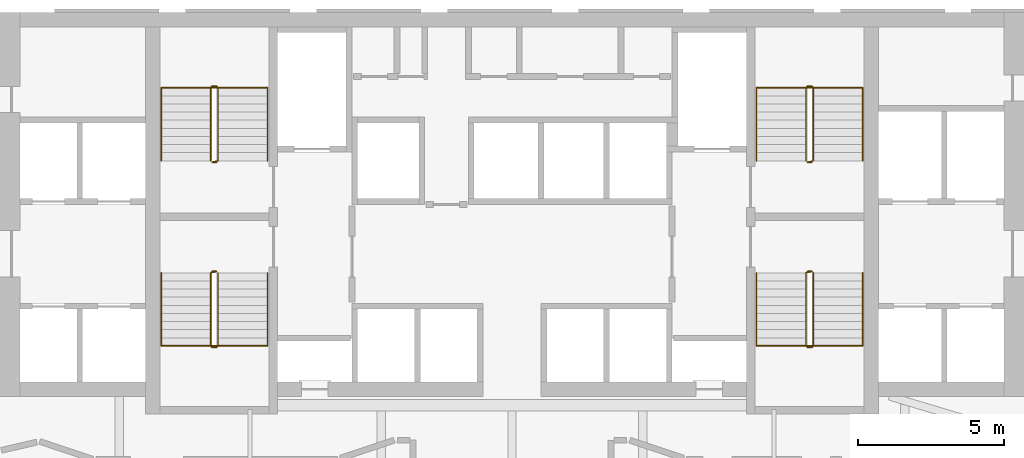
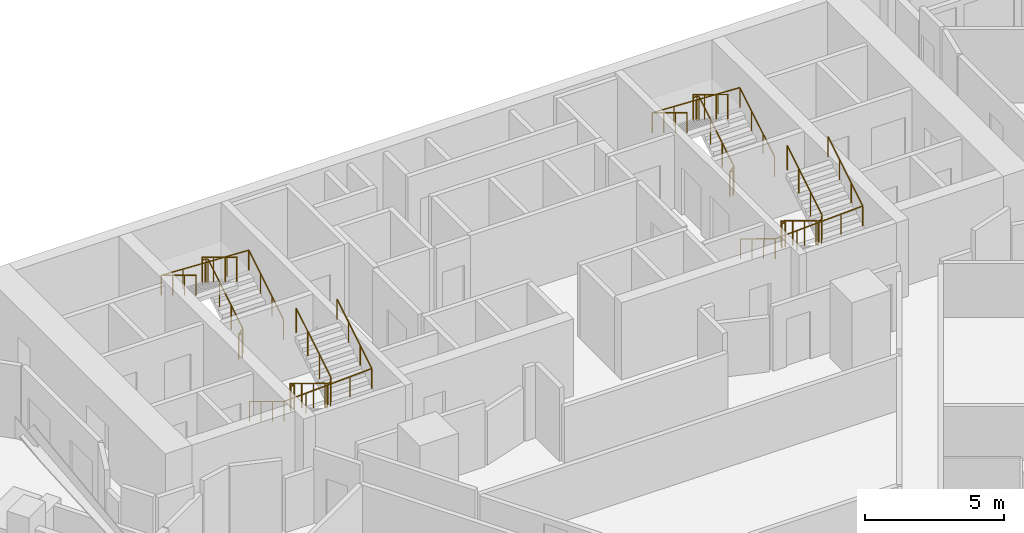
# One storey, part 11 of 11: 8 railings.
"""IFC4 building model written with IfcOpenShell, lengths in metres."""

from ifc_helpers import new_model, si_unit, direction, frame, origin, origin_2d, place, context, subcontext, project, spatial, circle, extrude, material, type_object, element, save


model = new_model("IFC4")

# Units and contexts
model_context = context("Model", 3, precision=1e-05, world=origin(), true_north=direction((0.0, 1.0)))
body_context = subcontext(model_context, "Body", "Model", "MODEL_VIEW")
ifc_project = project(units=[si_unit("LENGTHUNIT", "METRE"), si_unit("AREAUNIT", "SQUARE_METRE"), si_unit("VOLUMEUNIT", "CUBIC_METRE"), si_unit("PLANEANGLEUNIT", "RADIAN"), si_unit("MASSUNIT", "GRAM", prefix="KILO")], contexts=[model_context])

# Site, building, storey
site_placement = place(None, origin())
site = spatial("IfcSite", under=ifc_project, at=site_placement, CompositionType="ELEMENT")
building_placement = place(site_placement, origin())
building = spatial("IfcBuilding", under=site, at=building_placement, Name="Calabash Gate Tower", CompositionType="ELEMENT")
storey_placement = place(building_placement, frame((0.0, 0.0, 73.199951171875)))
storey = spatial("IfcBuildingStorey", under=building, at=storey_placement, Name="L14", CompositionType="ELEMENT", Elevation=73.199951171875)

# Railings
ifc_material_1 = material(Name="Black powder-coated steel balusters", Category="steel")
railing_type_1 = type_object("IfcRailingType", Name="Stair guard RL1100", PredefinedType="GUARDRAIL", material=ifc_material_1)
railing_1_placement = place(storey_placement, frame((-10.14990234375, 13.902587890625, 0.0)))
element("IfcRailing", 1, at=railing_1_placement, inside=storey, type_object=railing_type_1, Name="L14 ST1 stair guard 1", PredefinedType="GUARDRAIL", context=body_context, shape_type="SweptSolid", body=[
    extrude(circle(Radius=0.02392578125, at=origin_2d()), frame((0.0, 0.0, 1.076171875), z_axis=(-1.0, 0.0, 0.0), x_axis=(0.0, -1.0, 0.0)), (0.0, 0.0, 1.0), 0.150146484375),
    extrude(circle(Radius=0.02392578125, at=origin_2d()), frame((-0.150146484375, 0.0, 1.076171875), z_axis=(0.748079357382, 0.187248190798, 0.636643848712), x_axis=(-0.242814311512, 0.970072785993, 0.0)), (0.0, 0.0, 1.0), 0.267333984375),
    extrude(circle(Radius=0.02392578125, at=origin_2d()), frame((0.0498046875, 0.050048828125, 1.24609375), z_axis=(0.0, 0.853993254676, 0.52028407718), x_axis=(-1.0, 0.0, 0.0)), (0.0, 0.0, 1.0), 2.940185546875),
    extrude(circle(Radius=0.02392578125, at=origin_2d()), frame((0.0498046875, 2.56103515625, 2.77587890625), z_axis=(-0.705375805398, 0.708833529934, 0.0), x_axis=(-0.708833529934, -0.705375805398, 0.0)), (0.0, 0.0, 1.0), 0.070556640625),
    extrude(circle(Radius=0.02392578125, at=origin_2d()), frame((0.0, 2.611083984375, 2.77587890625), z_axis=(-1.0, 0.0, 0.0), x_axis=(0.0, -1.0, 0.0)), (0.0, 0.0, 1.0), 0.150146484375),
    extrude(circle(Radius=0.02392578125, at=origin_2d()), frame((-0.150146484375, 2.611083984375, 2.77587890625), z_axis=(-0.271562723297, -0.271562723297, 0.923313259209), x_axis=(0.707106781187, -0.707106781187, 0.0)), (0.0, 0.0, 1.0), 0.184326171875),
    extrude(circle(Radius=0.02392578125, at=origin_2d()), frame((-0.2001953125, 2.56103515625, 2.9462890625), z_axis=(0.0, -0.853956361026, 0.520344629514), x_axis=(1.0, 0.0, 0.0)), (0.0, 0.0, 1.0), 2.9404296875),
    extrude(circle(Radius=0.02099609375, at=origin_2d()), origin(), (0.0, 0.0, 1.0), 1.052001953125),
    extrude(circle(Radius=0.02099609375, at=origin_2d()), frame((-0.150146484375, 0.0, 0.0)), (0.0, 0.0, 1.0), 1.052001953125),
    extrude(circle(Radius=0.02099609375, at=origin_2d()), frame((0.0498046875, 0.050048828125, 0.170166015625)), (0.0, 0.0, 1.0), 1.052001953125),
    extrude(circle(Radius=0.02099609375, at=origin_2d()), frame((0.0498046875, 0.886962890625, 0.68017578125)), (0.0, 0.0, 1.0), 1.052001953125),
    extrude(circle(Radius=0.02099609375, at=origin_2d()), frame((0.0498046875, 1.72412109375, 1.18994140625)), (0.0, 0.0, 1.0), 1.052001953125),
    extrude(circle(Radius=0.02099609375, at=origin_2d()), frame((0.0498046875, 2.56103515625, 1.699951171875)), (0.0, 0.0, 1.0), 1.052001953125),
    extrude(circle(Radius=0.02099609375, at=origin_2d()), frame((0.0, 2.611083984375, 1.699951171875)), (0.0, 0.0, 1.0), 1.052001953125),
    extrude(circle(Radius=0.02099609375, at=origin_2d()), frame((-0.150146484375, 2.611083984375, 1.699951171875)), (0.0, 0.0, 1.0), 1.052001953125),
    extrude(circle(Radius=0.02099609375, at=origin_2d()), frame((-0.2001953125, 2.56103515625, 1.8701171875)), (0.0, 0.0, 1.0), 1.052001953125),
    extrude(circle(Radius=0.02099609375, at=origin_2d()), frame((-0.2001953125, 1.72412109375, 2.380126953125)), (0.0, 0.0, 1.0), 1.052001953125),
    extrude(circle(Radius=0.02099609375, at=origin_2d()), frame((-0.2001953125, 0.886962890625, 2.89013671875)), (0.0, 0.0, 1.0), 1.052001953125),
    extrude(circle(Radius=0.02099609375, at=origin_2d()), frame((-0.2001953125, 0.050048828125, 3.400146484375)), (0.0, 0.0, 1.0), 1.052001953125),
])
railing_2_placement = place(storey_placement, frame((-10.300048828125, 10.152587890625, 0.0)))
element("IfcRailing", 2, at=railing_2_placement, inside=storey, type_object=railing_type_1, Name="L14 ST2 stair guard 1", PredefinedType="GUARDRAIL", context=body_context, shape_type="SweptSolid", body=[
    extrude(circle(Radius=0.02392578125, at=origin_2d()), frame((0.0, 0.0, 1.076171875), z_axis=(1.0, 0.0, 0.0), x_axis=(0.0, 1.0, 0.0)), (0.0, 0.0, 1.0), 0.150146484375),
    extrude(circle(Radius=0.02392578125, at=origin_2d()), frame((0.150146484375, 0.0, 1.076171875), z_axis=(-0.748481188565, -0.187120297141, 0.63620901028), x_axis=(0.242535625036, -0.970142500145, 0.0)), (0.0, 0.0, 1.0), 0.267578125),
    extrude(circle(Radius=0.02392578125, at=origin_2d()), frame((-0.050048828125, -0.050048828125, 1.24609375), z_axis=(0.0, -0.853993254676, 0.52028407718), x_axis=(1.0, 0.0, 0.0)), (0.0, 0.0, 1.0), 2.940185546875),
    extrude(circle(Radius=0.02392578125, at=origin_2d()), frame((-0.050048828125, -2.56103515625, 2.77587890625), z_axis=(0.707106781187, -0.707106781187, 0.0), x_axis=(0.707106781187, 0.707106781187, 0.0)), (0.0, 0.0, 1.0), 0.07080078125),
    extrude(circle(Radius=0.02392578125, at=origin_2d()), frame((0.0, -2.611083984375, 2.77587890625), z_axis=(1.0, 0.0, 0.0), x_axis=(0.0, 1.0, 0.0)), (0.0, 0.0, 1.0), 0.150146484375),
    extrude(circle(Radius=0.02392578125, at=origin_2d()), frame((0.150146484375, -2.611083984375, 2.77587890625), z_axis=(0.270335057127, 0.271660228976, 0.923644778517), x_axis=(-0.708833529934, 0.705375805398, 0.0)), (0.0, 0.0, 1.0), 0.184326171875),
    extrude(circle(Radius=0.02392578125, at=origin_2d()), frame((0.199951171875, -2.56103515625, 2.9462890625), z_axis=(0.0, 0.853956361026, 0.520344629514), x_axis=(-1.0, 0.0, 0.0)), (0.0, 0.0, 1.0), 2.9404296875),
    extrude(circle(Radius=0.02099609375, at=origin_2d()), origin(), (0.0, 0.0, 1.0), 1.052001953125),
    extrude(circle(Radius=0.02099609375, at=origin_2d()), frame((0.150146484375, 0.0, 0.0)), (0.0, 0.0, 1.0), 1.052001953125),
    extrude(circle(Radius=0.02099609375, at=origin_2d()), frame((-0.050048828125, -0.050048828125, 0.170166015625)), (0.0, 0.0, 1.0), 1.052001953125),
    extrude(circle(Radius=0.02099609375, at=origin_2d()), frame((-0.050048828125, -0.886962890625, 0.68017578125)), (0.0, 0.0, 1.0), 1.052001953125),
    extrude(circle(Radius=0.02099609375, at=origin_2d()), frame((-0.050048828125, -1.72412109375, 1.18994140625)), (0.0, 0.0, 1.0), 1.052001953125),
    extrude(circle(Radius=0.02099609375, at=origin_2d()), frame((-0.050048828125, -2.56103515625, 1.699951171875)), (0.0, 0.0, 1.0), 1.052001953125),
    extrude(circle(Radius=0.02099609375, at=origin_2d()), frame((0.0, -2.611083984375, 1.699951171875)), (0.0, 0.0, 1.0), 1.052001953125),
    extrude(circle(Radius=0.02099609375, at=origin_2d()), frame((0.150146484375, -2.611083984375, 1.699951171875)), (0.0, 0.0, 1.0), 1.052001953125),
    extrude(circle(Radius=0.02099609375, at=origin_2d()), frame((0.199951171875, -2.56103515625, 1.8701171875)), (0.0, 0.0, 1.0), 1.052001953125),
    extrude(circle(Radius=0.02099609375, at=origin_2d()), frame((0.199951171875, -1.72412109375, 2.380126953125)), (0.0, 0.0, 1.0), 1.052001953125),
    extrude(circle(Radius=0.02099609375, at=origin_2d()), frame((0.199951171875, -0.886962890625, 2.89013671875)), (0.0, 0.0, 1.0), 1.052001953125),
    extrude(circle(Radius=0.02099609375, at=origin_2d()), frame((0.199951171875, -0.050048828125, 3.400146484375)), (0.0, 0.0, 1.0), 1.052001953125),
])
railing_3_placement = place(storey_placement, frame((10.300048828125, 13.902587890625, 0.0)))
element("IfcRailing", 3, at=railing_3_placement, inside=storey, type_object=railing_type_1, Name="L14 ST3 stair guard 1", PredefinedType="GUARDRAIL", context=body_context, shape_type="SweptSolid", body=[
    extrude(circle(Radius=0.02392578125, at=origin_2d()), frame((0.0, 0.0, 1.076171875), z_axis=(-1.0, 0.0, 0.0), x_axis=(0.0, -1.0, 0.0)), (0.0, 0.0, 1.0), 0.150146484375),
    extrude(circle(Radius=0.02392578125, at=origin_2d()), frame((-0.150146484375, 0.0, 1.076171875), z_axis=(0.748481188565, 0.187120297141, 0.63620901028), x_axis=(-0.242535625036, 0.970142500145, 0.0)), (0.0, 0.0, 1.0), 0.267578125),
    extrude(circle(Radius=0.02392578125, at=origin_2d()), frame((0.050048828125, 0.050048828125, 1.24609375), z_axis=(0.0, 0.853993254676, 0.52028407718), x_axis=(-1.0, 0.0, 0.0)), (0.0, 0.0, 1.0), 2.940185546875),
    extrude(circle(Radius=0.02392578125, at=origin_2d()), frame((0.050048828125, 2.56103515625, 2.77587890625), z_axis=(-0.707106781187, 0.707106781187, 0.0), x_axis=(-0.707106781187, -0.707106781187, 0.0)), (0.0, 0.0, 1.0), 0.07080078125),
    extrude(circle(Radius=0.02392578125, at=origin_2d()), frame((0.0, 2.611083984375, 2.77587890625), z_axis=(-1.0, 0.0, 0.0), x_axis=(0.0, -1.0, 0.0)), (0.0, 0.0, 1.0), 0.150146484375),
    extrude(circle(Radius=0.02392578125, at=origin_2d()), frame((-0.150146484375, 2.611083984375, 2.77587890625), z_axis=(-0.270335057127, -0.271660228976, 0.923644778517), x_axis=(0.708833529934, -0.705375805398, 0.0)), (0.0, 0.0, 1.0), 0.184326171875),
    extrude(circle(Radius=0.02392578125, at=origin_2d()), frame((-0.199951171875, 2.56103515625, 2.9462890625), z_axis=(0.0, -0.853956361026, 0.520344629514), x_axis=(1.0, 0.0, 0.0)), (0.0, 0.0, 1.0), 2.9404296875),
    extrude(circle(Radius=0.02099609375, at=origin_2d()), origin(), (0.0, 0.0, 1.0), 1.052001953125),
    extrude(circle(Radius=0.02099609375, at=origin_2d()), frame((-0.150146484375, 0.0, 0.0)), (0.0, 0.0, 1.0), 1.052001953125),
    extrude(circle(Radius=0.02099609375, at=origin_2d()), frame((0.050048828125, 0.050048828125, 0.170166015625)), (0.0, 0.0, 1.0), 1.052001953125),
    extrude(circle(Radius=0.02099609375, at=origin_2d()), frame((0.050048828125, 0.886962890625, 0.68017578125)), (0.0, 0.0, 1.0), 1.052001953125),
    extrude(circle(Radius=0.02099609375, at=origin_2d()), frame((0.050048828125, 1.72412109375, 1.18994140625)), (0.0, 0.0, 1.0), 1.052001953125),
    extrude(circle(Radius=0.02099609375, at=origin_2d()), frame((0.050048828125, 2.56103515625, 1.699951171875)), (0.0, 0.0, 1.0), 1.052001953125),
    extrude(circle(Radius=0.02099609375, at=origin_2d()), frame((0.0, 2.611083984375, 1.699951171875)), (0.0, 0.0, 1.0), 1.052001953125),
    extrude(circle(Radius=0.02099609375, at=origin_2d()), frame((-0.150146484375, 2.611083984375, 1.699951171875)), (0.0, 0.0, 1.0), 1.052001953125),
    extrude(circle(Radius=0.02099609375, at=origin_2d()), frame((-0.199951171875, 2.56103515625, 1.8701171875)), (0.0, 0.0, 1.0), 1.052001953125),
    extrude(circle(Radius=0.02099609375, at=origin_2d()), frame((-0.199951171875, 1.72412109375, 2.380126953125)), (0.0, 0.0, 1.0), 1.052001953125),
    extrude(circle(Radius=0.02099609375, at=origin_2d()), frame((-0.199951171875, 0.886962890625, 2.89013671875)), (0.0, 0.0, 1.0), 1.052001953125),
    extrude(circle(Radius=0.02099609375, at=origin_2d()), frame((-0.199951171875, 0.050048828125, 3.400146484375)), (0.0, 0.0, 1.0), 1.052001953125),
])
railing_4_placement = place(storey_placement, frame((10.14990234375, 10.152587890625, 0.0)))
element("IfcRailing", 4, at=railing_4_placement, inside=storey, type_object=railing_type_1, Name="L14 ST4 stair guard 1", PredefinedType="GUARDRAIL", context=body_context, shape_type="SweptSolid", body=[
    extrude(circle(Radius=0.02392578125, at=origin_2d()), frame((0.0, 0.0, 1.076171875), z_axis=(1.0, 0.0, 0.0), x_axis=(0.0, 1.0, 0.0)), (0.0, 0.0, 1.0), 0.150146484375),
    extrude(circle(Radius=0.02392578125, at=origin_2d()), frame((0.150146484375, 0.0, 1.076171875), z_axis=(-0.748079357382, -0.187248190798, 0.636643848712), x_axis=(0.242814311512, -0.970072785993, 0.0)), (0.0, 0.0, 1.0), 0.267333984375),
    extrude(circle(Radius=0.02392578125, at=origin_2d()), frame((-0.0498046875, -0.050048828125, 1.24609375), z_axis=(0.0, -0.853993254676, 0.52028407718), x_axis=(1.0, 0.0, 0.0)), (0.0, 0.0, 1.0), 2.940185546875),
    extrude(circle(Radius=0.02392578125, at=origin_2d()), frame((-0.0498046875, -2.56103515625, 2.77587890625), z_axis=(0.705375805398, -0.708833529934, 0.0), x_axis=(0.708833529934, 0.705375805398, 0.0)), (0.0, 0.0, 1.0), 0.070556640625),
    extrude(circle(Radius=0.02392578125, at=origin_2d()), frame((0.0, -2.611083984375, 2.77587890625), z_axis=(1.0, 0.0, 0.0), x_axis=(0.0, 1.0, 0.0)), (0.0, 0.0, 1.0), 0.150146484375),
    extrude(circle(Radius=0.02392578125, at=origin_2d()), frame((0.150146484375, -2.611083984375, 2.77587890625), z_axis=(0.271562723297, 0.271562723297, 0.923313259209), x_axis=(-0.707106781187, 0.707106781187, 0.0)), (0.0, 0.0, 1.0), 0.184326171875),
    extrude(circle(Radius=0.02392578125, at=origin_2d()), frame((0.2001953125, -2.56103515625, 2.9462890625), z_axis=(0.0, 0.853956361026, 0.520344629514), x_axis=(-1.0, 0.0, 0.0)), (0.0, 0.0, 1.0), 2.9404296875),
    extrude(circle(Radius=0.02099609375, at=origin_2d()), origin(), (0.0, 0.0, 1.0), 1.052001953125),
    extrude(circle(Radius=0.02099609375, at=origin_2d()), frame((0.150146484375, 0.0, 0.0)), (0.0, 0.0, 1.0), 1.052001953125),
    extrude(circle(Radius=0.02099609375, at=origin_2d()), frame((-0.0498046875, -0.050048828125, 0.170166015625)), (0.0, 0.0, 1.0), 1.052001953125),
    extrude(circle(Radius=0.02099609375, at=origin_2d()), frame((-0.0498046875, -0.886962890625, 0.68017578125)), (0.0, 0.0, 1.0), 1.052001953125),
    extrude(circle(Radius=0.02099609375, at=origin_2d()), frame((-0.0498046875, -1.72412109375, 1.18994140625)), (0.0, 0.0, 1.0), 1.052001953125),
    extrude(circle(Radius=0.02099609375, at=origin_2d()), frame((-0.0498046875, -2.56103515625, 1.699951171875)), (0.0, 0.0, 1.0), 1.052001953125),
    extrude(circle(Radius=0.02099609375, at=origin_2d()), frame((0.0, -2.611083984375, 1.699951171875)), (0.0, 0.0, 1.0), 1.052001953125),
    extrude(circle(Radius=0.02099609375, at=origin_2d()), frame((0.150146484375, -2.611083984375, 1.699951171875)), (0.0, 0.0, 1.0), 1.052001953125),
    extrude(circle(Radius=0.02099609375, at=origin_2d()), frame((0.2001953125, -2.56103515625, 1.8701171875)), (0.0, 0.0, 1.0), 1.052001953125),
    extrude(circle(Radius=0.02099609375, at=origin_2d()), frame((0.2001953125, -1.72412109375, 2.380126953125)), (0.0, 0.0, 1.0), 1.052001953125),
    extrude(circle(Radius=0.02099609375, at=origin_2d()), frame((0.2001953125, -0.886962890625, 2.89013671875)), (0.0, 0.0, 1.0), 1.052001953125),
    extrude(circle(Radius=0.02099609375, at=origin_2d()), frame((0.2001953125, -0.050048828125, 3.400146484375)), (0.0, 0.0, 1.0), 1.052001953125),
])
ifc_material_2 = material(Name="Black powder-coated steel tube 48 mm", Category="steel")
railing_type_2 = type_object("IfcRailingType", Name="Stair handrail RL900", PredefinedType="HANDRAIL", material=ifc_material_2)
railing_5_placement = place(storey_placement, frame((-8.39990234375, 13.95263671875, 0.170166015625)))
element("IfcRailing", 5, at=railing_5_placement, inside=storey, type_object=railing_type_2, Name="L14 ST1 stair handrail 1", PredefinedType="HANDRAIL", context=body_context, shape_type="SweptSolid", body=[
    extrude(circle(Radius=0.02392578125, at=origin_2d()), frame((0.0, 0.0, 0.8759765625), z_axis=(0.0, 0.853993254676, 0.52028407718), x_axis=(-1.0, 0.0, 0.0)), (0.0, 0.0, 1.0), 2.940185546875),
    extrude(circle(Radius=0.02392578125, at=origin_2d()), frame((0.0, 2.510986328125, 2.40576171875), z_axis=(-0.99891510456, 0.0, 0.046568378562), x_axis=(0.0, -1.0, 0.0)), (0.0, 0.0, 1.0), 3.654052734375),
    extrude(circle(Radius=0.02392578125, at=origin_2d()), frame((-3.650146484375, 2.510986328125, 2.57568359375), z_axis=(0.0, -0.853956361026, 0.520344629514), x_axis=(1.0, 0.0, 0.0)), (0.0, 0.0, 1.0), 2.9404296875),
    extrude(circle(Radius=0.02099609375, at=origin_2d()), origin(), (0.0, 0.0, 1.0), 0.851806640625),
    extrude(circle(Radius=0.02099609375, at=origin_2d()), frame((0.0, 0.8369140625, 0.510009765625)), (0.0, 0.0, 1.0), 0.851806640625),
    extrude(circle(Radius=0.02099609375, at=origin_2d()), frame((0.0, 1.674072265625, 1.019775390625)), (0.0, 0.0, 1.0), 0.851806640625),
    extrude(circle(Radius=0.02099609375, at=origin_2d()), frame((0.0, 2.510986328125, 1.52978515625)), (0.0, 0.0, 1.0), 0.851806640625),
    extrude(circle(Radius=0.02099609375, at=origin_2d()), frame((-0.91259765625, 2.510986328125, 1.572265625)), (0.0, 0.0, 1.0), 0.851806640625),
    extrude(circle(Radius=0.02099609375, at=origin_2d()), frame((-1.8251953125, 2.510986328125, 1.61474609375)), (0.0, 0.0, 1.0), 0.851806640625),
    extrude(circle(Radius=0.02099609375, at=origin_2d()), frame((-2.737548828125, 2.510986328125, 1.657470703125)), (0.0, 0.0, 1.0), 0.851806640625),
    extrude(circle(Radius=0.02099609375, at=origin_2d()), frame((-3.650146484375, 2.510986328125, 1.699951171875)), (0.0, 0.0, 1.0), 0.851806640625),
    extrude(circle(Radius=0.02099609375, at=origin_2d()), frame((-3.650146484375, 1.674072265625, 2.2099609375)), (0.0, 0.0, 1.0), 0.851806640625),
    extrude(circle(Radius=0.02099609375, at=origin_2d()), frame((-3.650146484375, 0.8369140625, 2.719970703125)), (0.0, 0.0, 1.0), 0.851806640625),
    extrude(circle(Radius=0.02099609375, at=origin_2d()), frame((-3.650146484375, 0.0, 3.22998046875)), (0.0, 0.0, 1.0), 0.851806640625),
])
railing_6_placement = place(storey_placement, frame((-12.050048828125, 10.1025390625, 0.170166015625)))
element("IfcRailing", 6, at=railing_6_placement, inside=storey, type_object=railing_type_2, Name="L14 ST2 stair handrail 1", PredefinedType="HANDRAIL", context=body_context, shape_type="SweptSolid", body=[
    extrude(circle(Radius=0.02392578125, at=origin_2d()), frame((0.0, 0.0, 0.8759765625), z_axis=(0.0, -0.853993254676, 0.52028407718), x_axis=(1.0, 0.0, 0.0)), (0.0, 0.0, 1.0), 2.940185546875),
    extrude(circle(Radius=0.02392578125, at=origin_2d()), frame((0.0, -2.510986328125, 2.40576171875), z_axis=(0.99891510456, 0.0, 0.046568378562), x_axis=(0.0, 1.0, 0.0)), (0.0, 0.0, 1.0), 3.654052734375),
    extrude(circle(Radius=0.02392578125, at=origin_2d()), frame((3.650146484375, -2.510986328125, 2.57568359375), z_axis=(0.0, 0.853956361026, 0.520344629514), x_axis=(-1.0, 0.0, 0.0)), (0.0, 0.0, 1.0), 2.9404296875),
    extrude(circle(Radius=0.02099609375, at=origin_2d()), origin(), (0.0, 0.0, 1.0), 0.851806640625),
    extrude(circle(Radius=0.02099609375, at=origin_2d()), frame((0.0, -0.8369140625, 0.510009765625)), (0.0, 0.0, 1.0), 0.851806640625),
    extrude(circle(Radius=0.02099609375, at=origin_2d()), frame((0.0, -1.674072265625, 1.019775390625)), (0.0, 0.0, 1.0), 0.851806640625),
    extrude(circle(Radius=0.02099609375, at=origin_2d()), frame((0.0, -2.510986328125, 1.52978515625)), (0.0, 0.0, 1.0), 0.851806640625),
    extrude(circle(Radius=0.02099609375, at=origin_2d()), frame((0.91259765625, -2.510986328125, 1.572265625)), (0.0, 0.0, 1.0), 0.851806640625),
    extrude(circle(Radius=0.02099609375, at=origin_2d()), frame((1.8251953125, -2.510986328125, 1.61474609375)), (0.0, 0.0, 1.0), 0.851806640625),
    extrude(circle(Radius=0.02099609375, at=origin_2d()), frame((2.737548828125, -2.510986328125, 1.657470703125)), (0.0, 0.0, 1.0), 0.851806640625),
    extrude(circle(Radius=0.02099609375, at=origin_2d()), frame((3.650146484375, -2.510986328125, 1.699951171875)), (0.0, 0.0, 1.0), 0.851806640625),
    extrude(circle(Radius=0.02099609375, at=origin_2d()), frame((3.650146484375, -1.674072265625, 2.2099609375)), (0.0, 0.0, 1.0), 0.851806640625),
    extrude(circle(Radius=0.02099609375, at=origin_2d()), frame((3.650146484375, -0.8369140625, 2.719970703125)), (0.0, 0.0, 1.0), 0.851806640625),
    extrude(circle(Radius=0.02099609375, at=origin_2d()), frame((3.650146484375, 0.0, 3.22998046875)), (0.0, 0.0, 1.0), 0.851806640625),
])
railing_7_placement = place(storey_placement, frame((12.050048828125, 13.95263671875, 0.170166015625)))
element("IfcRailing", 7, at=railing_7_placement, inside=storey, type_object=railing_type_2, Name="L14 ST3 stair handrail 1", PredefinedType="HANDRAIL", context=body_context, shape_type="SweptSolid", body=[
    extrude(circle(Radius=0.02392578125, at=origin_2d()), frame((0.0, 0.0, 0.8759765625), z_axis=(0.0, 0.853993254676, 0.52028407718), x_axis=(-1.0, 0.0, 0.0)), (0.0, 0.0, 1.0), 2.940185546875),
    extrude(circle(Radius=0.02392578125, at=origin_2d()), frame((0.0, 2.510986328125, 2.40576171875), z_axis=(-0.99891510456, 0.0, 0.046568378562), x_axis=(0.0, -1.0, 0.0)), (0.0, 0.0, 1.0), 3.654052734375),
    extrude(circle(Radius=0.02392578125, at=origin_2d()), frame((-3.650146484375, 2.510986328125, 2.57568359375), z_axis=(0.0, -0.853956361026, 0.520344629514), x_axis=(1.0, 0.0, 0.0)), (0.0, 0.0, 1.0), 2.9404296875),
    extrude(circle(Radius=0.02099609375, at=origin_2d()), origin(), (0.0, 0.0, 1.0), 0.851806640625),
    extrude(circle(Radius=0.02099609375, at=origin_2d()), frame((0.0, 0.8369140625, 0.510009765625)), (0.0, 0.0, 1.0), 0.851806640625),
    extrude(circle(Radius=0.02099609375, at=origin_2d()), frame((0.0, 1.674072265625, 1.019775390625)), (0.0, 0.0, 1.0), 0.851806640625),
    extrude(circle(Radius=0.02099609375, at=origin_2d()), frame((0.0, 2.510986328125, 1.52978515625)), (0.0, 0.0, 1.0), 0.851806640625),
    extrude(circle(Radius=0.02099609375, at=origin_2d()), frame((-0.91259765625, 2.510986328125, 1.572265625)), (0.0, 0.0, 1.0), 0.851806640625),
    extrude(circle(Radius=0.02099609375, at=origin_2d()), frame((-1.8251953125, 2.510986328125, 1.61474609375)), (0.0, 0.0, 1.0), 0.851806640625),
    extrude(circle(Radius=0.02099609375, at=origin_2d()), frame((-2.737548828125, 2.510986328125, 1.657470703125)), (0.0, 0.0, 1.0), 0.851806640625),
    extrude(circle(Radius=0.02099609375, at=origin_2d()), frame((-3.650146484375, 2.510986328125, 1.699951171875)), (0.0, 0.0, 1.0), 0.851806640625),
    extrude(circle(Radius=0.02099609375, at=origin_2d()), frame((-3.650146484375, 1.674072265625, 2.2099609375)), (0.0, 0.0, 1.0), 0.851806640625),
    extrude(circle(Radius=0.02099609375, at=origin_2d()), frame((-3.650146484375, 0.8369140625, 2.719970703125)), (0.0, 0.0, 1.0), 0.851806640625),
    extrude(circle(Radius=0.02099609375, at=origin_2d()), frame((-3.650146484375, 0.0, 3.22998046875)), (0.0, 0.0, 1.0), 0.851806640625),
])
railing_8_placement = place(storey_placement, frame((8.39990234375, 10.1025390625, 0.170166015625)))
element("IfcRailing", 8, at=railing_8_placement, inside=storey, type_object=railing_type_2, Name="L14 ST4 stair handrail 1", PredefinedType="HANDRAIL", context=body_context, shape_type="SweptSolid", body=[
    extrude(circle(Radius=0.02392578125, at=origin_2d()), frame((0.0, 0.0, 0.8759765625), z_axis=(0.0, -0.853993254676, 0.52028407718), x_axis=(1.0, 0.0, 0.0)), (0.0, 0.0, 1.0), 2.940185546875),
    extrude(circle(Radius=0.02392578125, at=origin_2d()), frame((0.0, -2.510986328125, 2.40576171875), z_axis=(0.99891510456, 0.0, 0.046568378562), x_axis=(0.0, 1.0, 0.0)), (0.0, 0.0, 1.0), 3.654052734375),
    extrude(circle(Radius=0.02392578125, at=origin_2d()), frame((3.650146484375, -2.510986328125, 2.57568359375), z_axis=(0.0, 0.853956361026, 0.520344629514), x_axis=(-1.0, 0.0, 0.0)), (0.0, 0.0, 1.0), 2.9404296875),
    extrude(circle(Radius=0.02099609375, at=origin_2d()), origin(), (0.0, 0.0, 1.0), 0.851806640625),
    extrude(circle(Radius=0.02099609375, at=origin_2d()), frame((0.0, -0.8369140625, 0.510009765625)), (0.0, 0.0, 1.0), 0.851806640625),
    extrude(circle(Radius=0.02099609375, at=origin_2d()), frame((0.0, -1.674072265625, 1.019775390625)), (0.0, 0.0, 1.0), 0.851806640625),
    extrude(circle(Radius=0.02099609375, at=origin_2d()), frame((0.0, -2.510986328125, 1.52978515625)), (0.0, 0.0, 1.0), 0.851806640625),
    extrude(circle(Radius=0.02099609375, at=origin_2d()), frame((0.91259765625, -2.510986328125, 1.572265625)), (0.0, 0.0, 1.0), 0.851806640625),
    extrude(circle(Radius=0.02099609375, at=origin_2d()), frame((1.8251953125, -2.510986328125, 1.61474609375)), (0.0, 0.0, 1.0), 0.851806640625),
    extrude(circle(Radius=0.02099609375, at=origin_2d()), frame((2.737548828125, -2.510986328125, 1.657470703125)), (0.0, 0.0, 1.0), 0.851806640625),
    extrude(circle(Radius=0.02099609375, at=origin_2d()), frame((3.650146484375, -2.510986328125, 1.699951171875)), (0.0, 0.0, 1.0), 0.851806640625),
    extrude(circle(Radius=0.02099609375, at=origin_2d()), frame((3.650146484375, -1.674072265625, 2.2099609375)), (0.0, 0.0, 1.0), 0.851806640625),
    extrude(circle(Radius=0.02099609375, at=origin_2d()), frame((3.650146484375, -0.8369140625, 2.719970703125)), (0.0, 0.0, 1.0), 0.851806640625),
    extrude(circle(Radius=0.02099609375, at=origin_2d()), frame((3.650146484375, 0.0, 3.22998046875)), (0.0, 0.0, 1.0), 0.851806640625),
])

save(model, "model.ifc")
